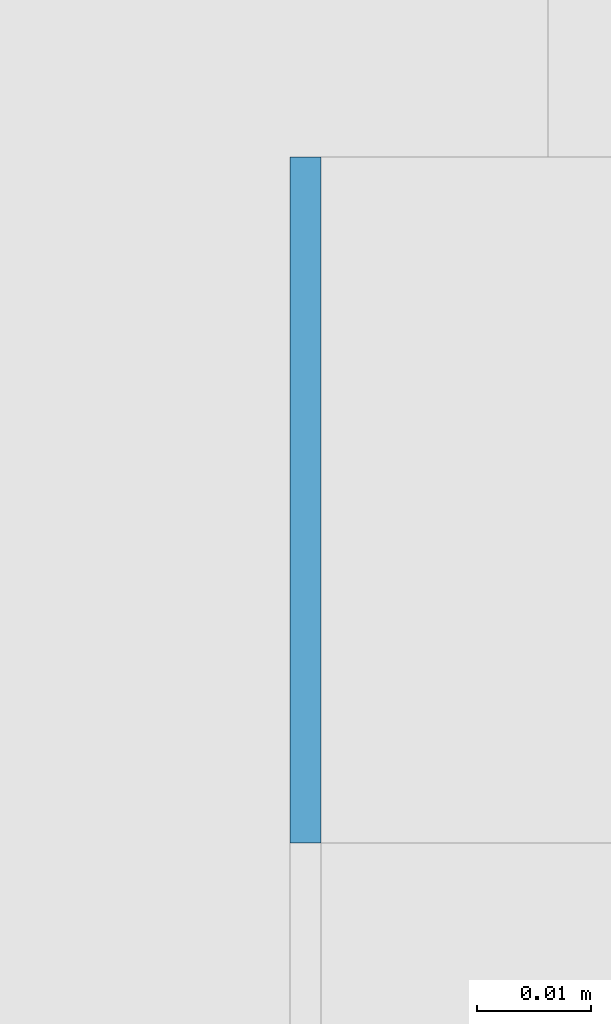
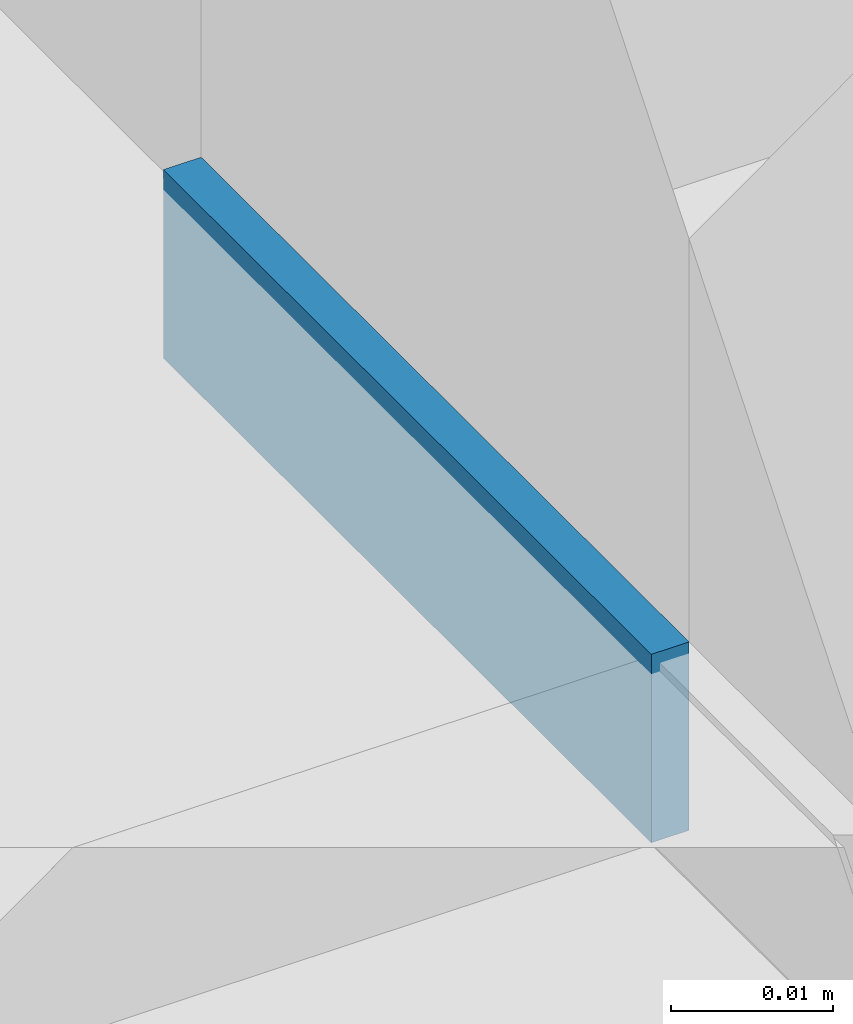
# One storey, part 478 of 646: 1 discrete accessory.
"""IFC4 building model written with IfcOpenShell, lengths in metres."""

import ifcopenshell
import ifcopenshell.guid

model = None  # the IFC model being written
_history = None  # IfcOwnerHistory: only IFC2X3 demands one
_inside = {}  # id of a spatial element -> (the spatial element, [elements in it])
_under = {}  # id of a project, library or spatial element -> (it, [spatial elements below it])
_declared = {}  # id of a project -> (the project, [libraries it declares])
_typed = {}  # id of a type object -> (the type object, [elements of that type])
_made_of = {}  # id of a material, layer set ... -> (it, [elements and type objects made of it])


def new_model(schema):
    """Start an empty IFC model of exactly this schema.

    Asked for "IFC4X3", IfcOpenShell would pick the latest addendum, in which some entities
    have other attributes; the version numbers below select the first issue.
    IFC2X3 requires an IfcOwnerHistory on every rooted entity: one is made here for all.
    """
    global model, _history
    if schema == "IFC4X3":
        model = ifcopenshell.file(schema_version=(4, 3, 0, 0))
    else:
        model = ifcopenshell.file(schema=schema)
    _inside.clear()
    _under.clear()
    _declared.clear()
    _typed.clear()
    _made_of.clear()
    _history = None
    if model.schema == "IFC2X3":
        org = make("IfcOrganization", Name="unknown")
        user = make(
            "IfcPersonAndOrganization",
            ThePerson=make("IfcPerson", FamilyName="unknown"),
            TheOrganization=org,
        )
        app = make(
            "IfcApplication",
            ApplicationDeveloper=org,
            Version="unknown",
            ApplicationFullName="unknown",
            ApplicationIdentifier="unknown",
        )
        _history = make(
            "IfcOwnerHistory",
            OwningUser=user,
            OwningApplication=app,
            ChangeAction="ADDED",
            CreationDate=0,
        )
    return model


def make(cls, **values):
    """One entity of the class cls with the attributes given. An attribute that is None is left unset."""
    return model.create_entity(
        cls, **{name: value for name, value in values.items() if value is not None}
    )


def rooted(cls, **values):
    """An entity with a GlobalId (a new one), such as an element, a storey or a relation."""
    return make(cls, GlobalId=ifcopenshell.guid.new(), OwnerHistory=_history, **values)


def si_unit(unit_type, name, prefix=None):
    """IfcSIUnit, for example si_unit("LENGTHUNIT", "METRE", prefix="MILLI")."""
    return make("IfcSIUnit", UnitType=unit_type, Prefix=prefix, Name=name)


def assignment(units):
    """IfcUnitAssignment: the units of a project."""
    return None if units is None else make("IfcUnitAssignment", Units=units)


def point(xyz):
    """IfcCartesianPoint."""
    return None if xyz is None else make("IfcCartesianPoint", Coordinates=xyz)


def direction(xyz):
    """IfcDirection."""
    return None if xyz is None else make("IfcDirection", DirectionRatios=xyz)


def frame(location, z_axis=None, x_axis=None):
    """IfcAxis2Placement3D, a coordinate frame: its origin and axes. An axis left out is left unset."""
    return make(
        "IfcAxis2Placement3D",
        Location=point(location),
        Axis=direction(z_axis),
        RefDirection=direction(x_axis),
    )


def frame_2d(location, x_axis=None):
    """IfcAxis2Placement2D, a coordinate frame in the plane: its origin and x axis."""
    return make(
        "IfcAxis2Placement2D", Location=point(location), RefDirection=direction(x_axis)
    )


def origin():
    """The frame at (0, 0, 0) with its axes left unset."""
    return frame((0.0, 0.0, 0.0))


def origin_2d():
    """The frame at (0, 0) in the plane with its x axis left unset."""
    return frame_2d((0.0, 0.0))


def place(relative_to, where):
    """IfcLocalPlacement: puts the frame where relative to a parent placement (None: the world)."""
    return make(
        "IfcLocalPlacement", PlacementRelTo=relative_to, RelativePlacement=where
    )


def context(
    kind, dimensions, precision=None, world=None, true_north=None, identifier=None
):
    """IfcGeometricRepresentationContext, for example the 3D "Model" context."""
    return make(
        "IfcGeometricRepresentationContext",
        ContextIdentifier=identifier,
        ContextType=kind,
        CoordinateSpaceDimension=dimensions,
        Precision=precision,
        WorldCoordinateSystem=world,
        TrueNorth=true_north,
    )


def subcontext(parent, identifier, kind, view, scale=None):
    """IfcGeometricRepresentationSubContext, for example "Body" below "Model"."""
    return make(
        "IfcGeometricRepresentationSubContext",
        ContextIdentifier=identifier,
        ContextType=kind,
        ParentContext=parent,
        TargetScale=scale,
        TargetView=view,
    )


def project(units=None, contexts=None):
    """IfcProject with its units and contexts."""
    return rooted(
        "IfcProject",
        Name="project",
        RepresentationContexts=contexts,
        UnitsInContext=assignment(units),
    )


def spatial(cls, under=None, at=None, **own):
    """A site, building, storey or space (cls), placed at a placement, below another one or the project."""
    s = rooted(cls, ObjectPlacement=at, **own)
    if under is not None:
        _under.setdefault(under.id(), (under, []))[1].append(s)
    return s


def profile(cls, at=None, kind="AREA", **sizes):
    """A parametric profile (cls). Its sizes go by their IFC names, for example OverallWidth=200.0."""
    return make(cls, ProfileType=kind, Position=at, **sizes)


def rectangle(**sizes):
    """IfcRectangleProfileDef."""
    return profile("IfcRectangleProfileDef", **sizes)


def extrude(swept, where, along, depth):
    """IfcExtrudedAreaSolid: the profile swept, set in the frame where, extruded along a direction by depth."""
    return make(
        "IfcExtrudedAreaSolid",
        SweptArea=swept,
        Position=where,
        ExtrudedDirection=direction(along),
        Depth=depth,
    )


def shape(context_of_items, identifier, shape_type, items):
    """IfcShapeRepresentation: the items that make up one representation, for example the "Body"."""
    return make(
        "IfcShapeRepresentation",
        ContextOfItems=context_of_items,
        RepresentationIdentifier=identifier,
        RepresentationType=shape_type,
        Items=items,
    )


def material(Name=None, Category=None):
    """IfcMaterial."""
    return make("IfcMaterial", Name=Name, Category=Category)


def made_of(thing, what):
    """Note that an element or type object is made of a material, layer set ...; save() writes the relation."""
    if what is not None:
        _made_of.setdefault(what.id(), (what, []))[1].append(thing)
    return thing


def type_object(cls, material=None, **own):
    """A type object (cls), such as IfcWallType, which elements share."""
    return made_of(rooted(cls, **own), material)


def element(
    cls,
    number,
    at=None,
    inside=None,
    cuts=None,
    type_object=None,
    material=None,
    context=None,
    identifier="Body",
    shape_type=None,
    held_by="IfcProductDefinitionShape",
    body=None,
    shapes=None,
    **own,
):
    """One element of the class cls, such as IfcWall. Its Tag is "e" and its number.

    at: its placement. inside: the storey or other place that contains it. cuts: it is an
    opening in that element (IfcRelVoidsElement). A single representation is given by context,
    identifier, shape_type and body (its items); several are given by shapes. held_by: the class
    of the entity that holds the representations. save() writes the other relations.
    """
    e = rooted(cls, Tag="e%d" % number, ObjectPlacement=at, **own)
    if body is not None:
        shapes = [shape(context, identifier, shape_type, body)]
    if shapes is not None:
        e.Representation = make(held_by, Representations=shapes)
    if inside is not None:
        _inside.setdefault(inside.id(), (inside, []))[1].append(e)
    if cuts is not None:
        rooted(
            "IfcRelVoidsElement", RelatingBuildingElement=cuts, RelatedOpeningElement=e
        )
    if type_object is not None:
        _typed.setdefault(type_object.id(), (type_object, []))[1].append(e)
    return made_of(e, material)


def aggregate(whole, parts):
    """IfcRelAggregates: a whole, such as a stair, and the parts it consists of."""
    return rooted("IfcRelAggregates", RelatingObject=whole, RelatedObjects=parts)


def save(model, path):
    """Write the relations noted so far, then the file.

    IfcRelAggregates (storeys below a building ...), IfcRelContainedInSpatialStructure (elements
    in a storey), IfcRelDefinesByType, IfcRelAssociatesMaterial and IfcRelDeclares: one each for
    every whole, place, type object, material and project.
    """
    for whole, parts in _under.values():
        aggregate(whole, parts)
    for where, things in _inside.values():
        rooted(
            "IfcRelContainedInSpatialStructure",
            RelatedElements=things,
            RelatingStructure=where,
        )
    for kind, things in _typed.values():
        rooted("IfcRelDefinesByType", RelatedObjects=things, RelatingType=kind)
    for what, things in _made_of.values():
        rooted("IfcRelAssociatesMaterial", RelatedObjects=things, RelatingMaterial=what)
    for by, libraries in _declared.values():
        rooted("IfcRelDeclares", RelatingContext=by, RelatedDefinitions=libraries)
    model.write(path)


model = new_model("IFC4")

# Units and contexts
model_context = context("Model", 3, precision=1e-05, world=origin(), true_north=direction((0.0, 1.0)))
body_context = subcontext(model_context, "Body", "Model", "MODEL_VIEW")
ifc_project = project(units=[si_unit("LENGTHUNIT", "METRE"), si_unit("AREAUNIT", "SQUARE_METRE"), si_unit("VOLUMEUNIT", "CUBIC_METRE"), si_unit("PLANEANGLEUNIT", "RADIAN"), si_unit("MASSUNIT", "GRAM", prefix="KILO")], contexts=[model_context])

# Site, building, storey
site_placement = place(None, origin())
site = spatial("IfcSite", under=ifc_project, at=site_placement, CompositionType="ELEMENT")
building_placement = place(site_placement, origin())
building = spatial("IfcBuilding", under=site, at=building_placement, Name="Silverbay Arena", CompositionType="ELEMENT")
storey_placement = place(building_placement, frame((0.0, 0.0, 33.5)))
storey = spatial("IfcBuildingStorey", under=building, at=storey_placement, Name="L05", CompositionType="ELEMENT", Elevation=33.5)

# Discrete accessory
ifc_material = material(Name="Steel S355", Category="steel")
discrete_accessory_type = type_object("IfcDiscreteAccessoryType", Name="Steel bracket plate", PredefinedType="BRACKET", material=ifc_material)
discrete_accessory_placement = place(storey_placement, frame((207.128662109375, 54.030029296875, 4.0), z_axis=(0.0, 0.0, 1.0), x_axis=(1.0, 0.0, 0.0)))
element("IfcDiscreteAccessory", 1, at=discrete_accessory_placement, inside=storey, type_object=discrete_accessory_type, Name="Curtain wall packing plate", PredefinedType="BRACKET", context=body_context, shape_type="SweptSolid", body=[
    extrude(rectangle(XDim=0.002685546875, YDim=0.06005859375, at=origin_2d()), origin(), (0.0, 0.0, 1.0), 0.01416015625),
])

save(model, "model.ifc")
